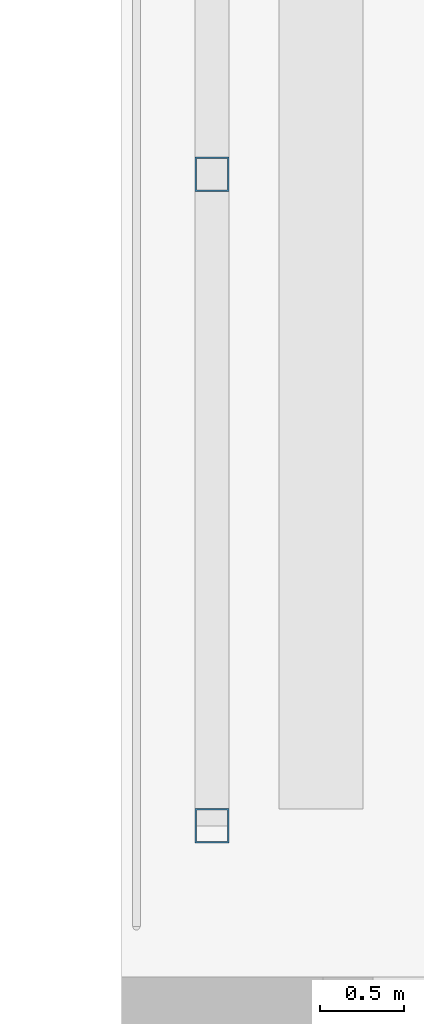
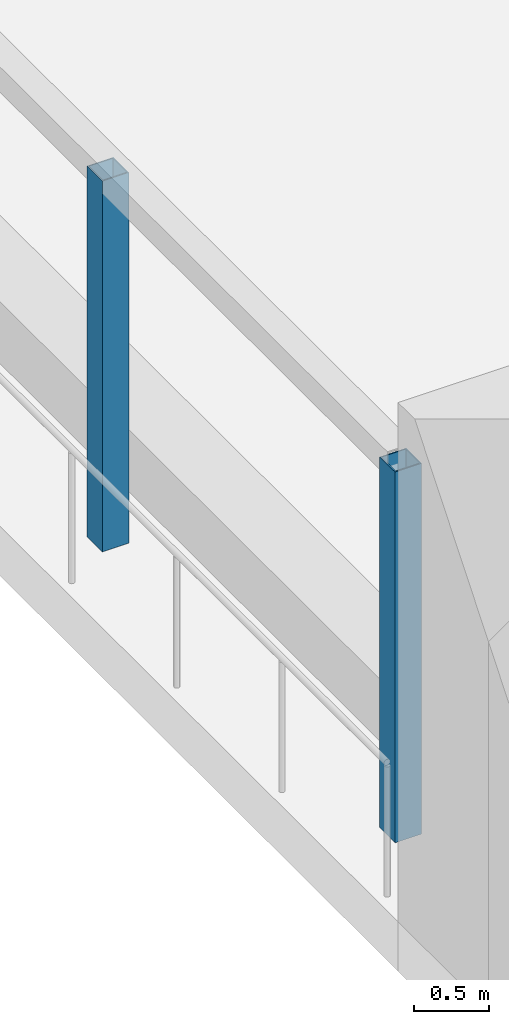
# One storey, part 2 of 18: 2 members.
"""IFC4 building model written with IfcOpenShell, lengths in metres."""

from ifc_helpers import new_model, si_unit, direction, frame, origin, origin_2d, place, context, subcontext, project, spatial, hollow_rectangle, extrude, source, transform, mapped, material, material_profile, profile_set, type_object, element, save


model = new_model("IFC4")

# Units and contexts
model_context = context("Model", 3, precision=1e-05, world=origin(), true_north=direction((0.0, 1.0)))
body_context = subcontext(model_context, "Body", "Model", "MODEL_VIEW")
ifc_project = project(units=[si_unit("LENGTHUNIT", "METRE"), si_unit("AREAUNIT", "SQUARE_METRE"), si_unit("VOLUMEUNIT", "CUBIC_METRE"), si_unit("PLANEANGLEUNIT", "RADIAN"), si_unit("MASSUNIT", "GRAM", prefix="KILO")], contexts=[model_context])

# Site, building, storey
site_placement = place(None, origin())
site = spatial("IfcSite", under=ifc_project, at=site_placement, CompositionType="ELEMENT")
building_placement = place(site_placement, origin())
building = spatial("IfcBuilding", under=site, at=building_placement, Name="Aurelian Terraces", CompositionType="ELEMENT")
storey_placement = place(building_placement, frame((0.0, 0.0, 99.3)))
storey = spatial("IfcBuildingStorey", under=building, at=storey_placement, Name="L21", CompositionType="ELEMENT", Elevation=99.3)

# Members
ifc_material = material(Name="Steel ASTM A500 Gr C", Category="steel")
ifc_material_profile = material_profile(ifc_material, hollow_rectangle(XDim=0.2032, YDim=0.2032, WallThickness=0.0089, at=origin_2d()))
ifc_profile_set = profile_set([ifc_material_profile], Name="Steel ASTM A500 Gr C")
member_type = type_object("IfcMemberType", Name="PERGOLA POST HSS8X8X3/8", PredefinedType="POST", material=ifc_profile_set)
member_1_placement = place(storey_placement, frame((0.54, 21.9, 0.0), z_axis=(0.0, 0.0, 1.0), x_axis=(1.0, 0.0, 0.0)))
element("IfcMember", 1, at=member_1_placement, inside=storey, type_object=member_type, Name="Pergola post L21 L21-X1.1.1", PredefinedType="POST", context=body_context, shape_type="SweptSolid", body=[
    extrude(hollow_rectangle(XDim=0.2032, YDim=0.2032, WallThickness=0.0089, at=origin_2d()), origin(), (0.0, 0.0, 1.0), 3.0),
])
shared_shape = source(origin(), body_context, "Body", "SweptSolid", [
    extrude(hollow_rectangle(XDim=0.2032, YDim=0.2032, WallThickness=0.0089, at=origin_2d()), origin(), (0.0, 0.0, 1.0), 3.0),
])
member_2_placement = place(storey_placement, frame((0.54, 25.7803, 0.0), z_axis=(0.0, 0.0, 1.0), x_axis=(1.0, 0.0, 0.0)))
element("IfcMember", 2, at=member_2_placement, inside=storey, type_object=member_type, Name="Pergola post L21 L21-X1.1.2", PredefinedType="POST", context=body_context, shape_type="MappedRepresentation", body=[
    mapped(shared_shape, transform((0.0, 0.0, 0.0), scale=1.0)),
])

save(model, "model.ifc")
